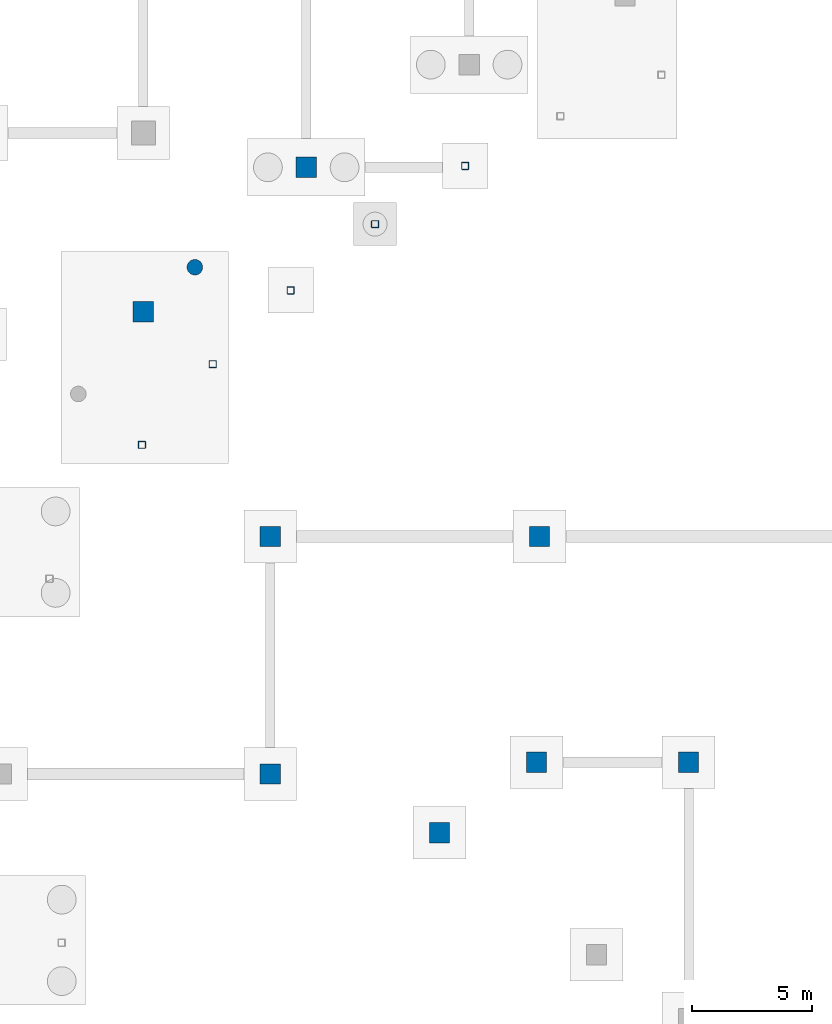
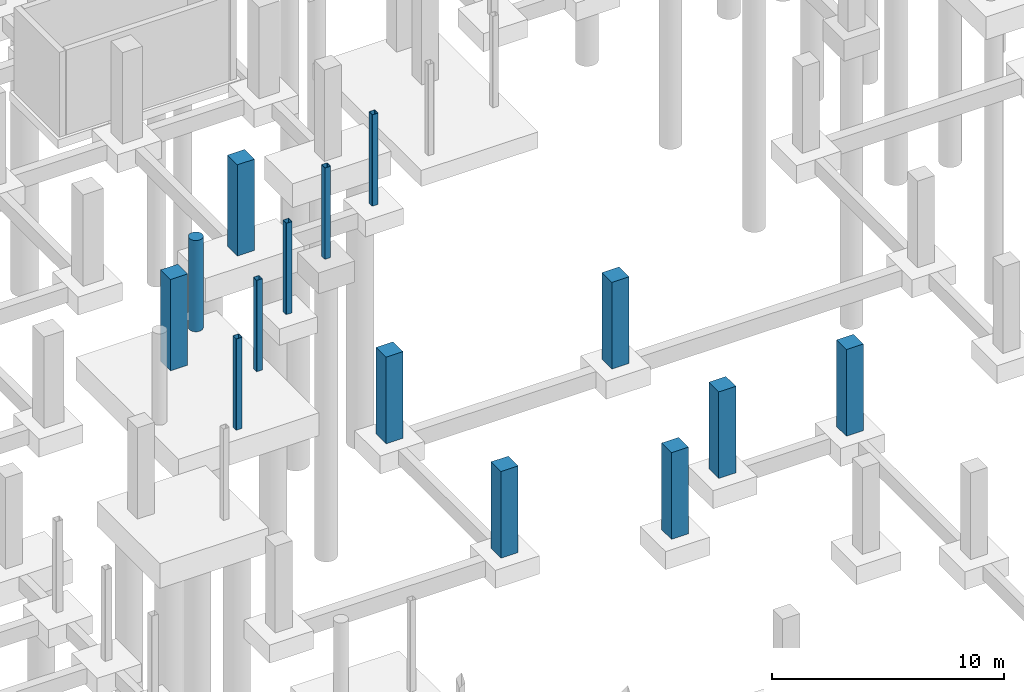
# One storey, part 19 of 44: 14 columns.
"""IFC4 building model written with IfcOpenShell, lengths in metres."""

from ifc_helpers import new_model, si_unit, direction, frame, origin, origin_2d, place, context, subcontext, project, spatial, rectangle, hollow_rectangle, circle, extrude, material, material_profile, profile_set, type_object, element, save


model = new_model("IFC4")

# Units and contexts
model_context = context("Model", 3, precision=1e-05, world=origin(), true_north=direction((0.0, 1.0)))
body_context = subcontext(model_context, "Body", "Model", "MODEL_VIEW")
ifc_project = project(units=[si_unit("LENGTHUNIT", "METRE"), si_unit("AREAUNIT", "SQUARE_METRE"), si_unit("VOLUMEUNIT", "CUBIC_METRE"), si_unit("PLANEANGLEUNIT", "RADIAN"), si_unit("MASSUNIT", "GRAM", prefix="KILO")], contexts=[model_context])

# Site, building, storey
site_placement = place(None, origin())
site = spatial("IfcSite", under=ifc_project, at=site_placement, CompositionType="ELEMENT")
building_placement = place(site_placement, origin())
building = spatial("IfcBuilding", under=site, at=building_placement, Name="Kisaragi Civic Commons", CompositionType="ELEMENT")
storey_placement = place(building_placement, frame((0.0, 0.0, -4.800048828125)))
storey = spatial("IfcBuildingStorey", under=building, at=storey_placement, Name="B1", CompositionType="ELEMENT", Elevation=-4.800048828125)

# Columns
ifc_material_1 = material(Name="Concrete Fc36", Category="concrete")
ifc_material_profile_1 = material_profile(ifc_material_1, rectangle(XDim=0.85009765625, YDim=0.85009765625, at=origin_2d()), Name="RC-850x850", Category="concrete")
ifc_profile_set_1 = profile_set([ifc_material_profile_1], Name="Concrete Fc36")
column_type_1 = type_object("IfcColumnType", Name="C-01", PredefinedType="COLUMN", material=ifc_profile_set_1)
for number, where, z_axis, x_axis, name in (
    (1, (39.300048828125, 69.246337890625, 0.0), (0.0, 0.0, 1.0), (1.0, 0.0, 0.0), "B1 column C-01 (39.3,69.2)"),
    (2, (39.300048828125, 79.159912109375, 0.0), (0.0, 0.0, 1.0), (1.0, 0.0, 0.0), "B1 column C-01 (39.3,79.2)"),
    (3, (46.360107421875, 66.798828125, 0.0), (0.0, 0.0, 1.0), (1.0, 0.0, 0.0), "B1 column C-01 (46.4,66.8)"),
    (4, (50.40771484375, 69.73779296875, 0.0), (0.0, 0.0, 1.0), (1.0, 0.0, 0.0), "B1 column C-01 (50.4,69.7)"),
    (5, (50.531982421875, 79.159912109375, 0.0), (0.0, 0.0, 1.0), (1.0, 0.0, 0.0), "B1 column C-01 (50.5,79.2)"),
    (6, (56.754150390625, 69.73779296875, 0.0), (0.0, 0.0, 1.0), (1.0, 0.0, 0.0), "B1 column C-01 (56.8,69.7)"),
):
    element("IfcColumn", number, at=place(storey_placement, frame(where, z_axis=z_axis, x_axis=x_axis)), inside=storey, type_object=column_type_1, Name=name, PredefinedType="COLUMN", context=body_context, shape_type="SweptSolid", body=[
        extrude(rectangle(XDim=0.85009765625, YDim=0.85009765625, at=origin_2d()), origin(), (0.0, 0.0, 1.0), 4.554931640625),
    ])
ifc_material_profile_2 = material_profile(ifc_material_1, rectangle(XDim=0.85009765625, YDim=0.85009765625, at=origin_2d()), Name="RC-850x850", Category="concrete")
ifc_profile_set_2 = profile_set([ifc_material_profile_2], Name="Concrete Fc36")
column_type_2 = type_object("IfcColumnType", Name="C-05", PredefinedType="COLUMN", material=ifc_profile_set_2)
for number, where, z_axis, x_axis, name in (
    (7, (34.0, 88.544189453125, 0.0), (0.0, 0.0, 1.0), (1.0, 0.0, 0.0), "B1 column C-05 (34.0,88.5)"),
    (8, (40.800048828125, 94.565185546875, 0.0), (0.0, 0.0, 1.0), (1.0, 0.0, 0.0), "B1 column C-05 (40.8,94.6)"),
):
    element("IfcColumn", number, at=place(storey_placement, frame(where, z_axis=z_axis, x_axis=x_axis)), inside=storey, type_object=column_type_2, Name=name, PredefinedType="COLUMN", context=body_context, shape_type="SweptSolid", body=[
        extrude(rectangle(XDim=0.85009765625, YDim=0.85009765625, at=origin_2d()), origin(), (0.0, 0.0, 1.0), 4.800048828125),
    ])
ifc_material_2 = material(Name="Concrete Fc30", Category="concrete")
ifc_material_profile_3 = material_profile(ifc_material_2, circle(Radius=0.324951171875, at=origin_2d()), Name="RC-D650", Category="concrete")
ifc_profile_set_3 = profile_set([ifc_material_profile_3], Name="Concrete Fc30")
column_type_3 = type_object("IfcColumnType", Name="C-12", PredefinedType="COLUMN", material=ifc_profile_set_3)
column_placement = place(storey_placement, frame((36.151123046875, 90.394775390625, 0.0), z_axis=(0.0, 0.0, 1.0), x_axis=(1.0, 0.0, 0.0)))
element("IfcColumn", 9, at=column_placement, inside=storey, type_object=column_type_3, Name="B1 column C-12 (36.2,90.4)", PredefinedType="COLUMN", context=body_context, shape_type="SweptSolid", body=[
    extrude(circle(Radius=0.324951171875, at=origin_2d()), origin(), (0.0, 0.0, 1.0), 4.800048828125),
])
ifc_material_3 = material(Name="Steel BCR295", Category="steel")
ifc_material_profile_4 = material_profile(ifc_material_3, hollow_rectangle(XDim=0.300048828125, YDim=0.300048828125, WallThickness=0.012939453125, InnerFilletRadius=0.012939453125, OuterFilletRadius=0.02587890625, at=origin_2d()), Name="BCR-300x300x13", Category="steel")
ifc_profile_set_4 = profile_set([ifc_material_profile_4], Name="Steel BCR295")
column_type_4 = type_object("IfcColumnType", Name="C-15", PredefinedType="COLUMN", material=ifc_profile_set_4)
for number, where, z_axis, x_axis, name in (
    (10, (33.943603515625, 82.98388671875, 0.0), (0.0, 0.0, 1.0), (1.0, 0.0, 0.0), "B1 column C-15 (33.9,83.0)"),
    (11, (36.898193359375, 86.34912109375, 0.0), (0.0, 0.0, 1.0), (1.0, 0.0, 0.0), "B1 column C-15 (36.9,86.3)"),
    (12, (40.14990234375, 89.427734375, 0.0), (0.0, 0.0, 1.0), (1.0, 0.0, 0.0), "B1 column C-15 (40.1,89.4)"),
    (13, (43.67138671875, 92.194091796875, 0.0), (0.0, 0.0, 1.0), (1.0, 0.0, 0.0), "B1 column C-15 (43.7,92.2)"),
    (14, (47.4326171875, 94.62451171875, 0.0), (0.0, 0.0, 1.0), (1.0, 0.0, 0.0), "B1 column C-15 (47.4,94.6)"),
):
    element("IfcColumn", number, at=place(storey_placement, frame(where, z_axis=z_axis, x_axis=x_axis)), inside=storey, type_object=column_type_4, Name=name, PredefinedType="COLUMN", context=body_context, shape_type="SweptSolid", body=[
        extrude(hollow_rectangle(XDim=0.300048828125, YDim=0.300048828125, WallThickness=0.012939453125, InnerFilletRadius=0.012939453125, OuterFilletRadius=0.02587890625, at=origin_2d()), origin(), (0.0, 0.0, 1.0), 4.800048828125),
    ])

save(model, "model.ifc")
